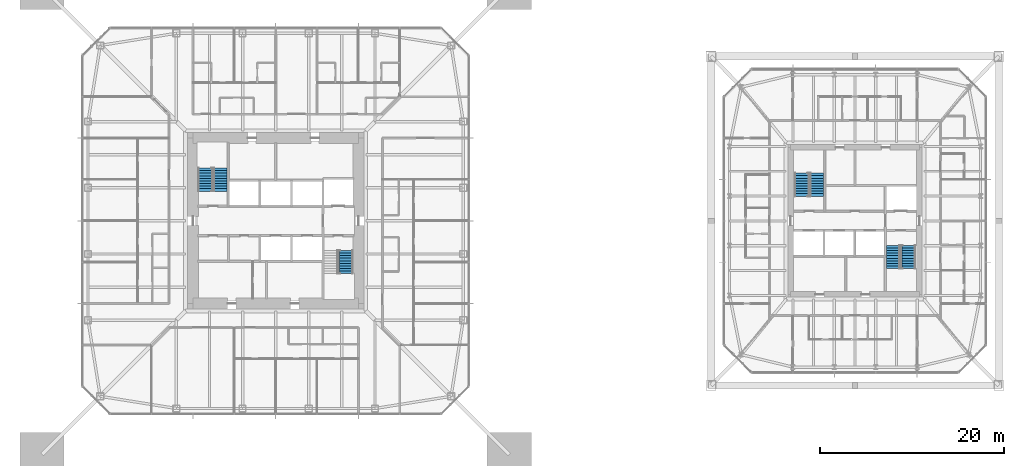
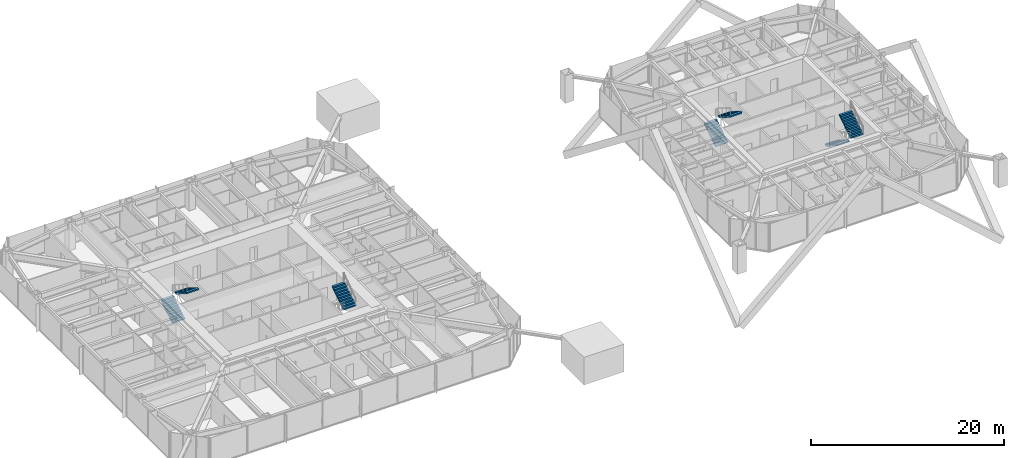
# One storey, part 20 of 25: 7 stair flights, 4 elements without a shape of their own.
"""IFC4 building model written with IfcOpenShell, lengths in metres."""

from ifc_helpers import new_model, si_unit, direction, frame, origin, place, context, subcontext, project, spatial, polyline, outline, extrude, material, constituent, constituent_set, type_object, element, aggregate, save


model = new_model("IFC4")

# Units and contexts
model_context = context("Model", 3, precision=1e-05, world=origin(), true_north=direction((0.0, 1.0)))
body_context = subcontext(model_context, "Body", "Model", "MODEL_VIEW")
ifc_project = project(units=[si_unit("LENGTHUNIT", "METRE"), si_unit("AREAUNIT", "SQUARE_METRE"), si_unit("VOLUMEUNIT", "CUBIC_METRE"), si_unit("PLANEANGLEUNIT", "RADIAN"), si_unit("MASSUNIT", "GRAM", prefix="KILO")], contexts=[model_context])

# Site, building, storey
site_placement = place(None, origin())
site = spatial("IfcSite", under=ifc_project, at=site_placement, CompositionType="ELEMENT")
building_placement = place(site_placement, origin())
building = spatial("IfcBuilding", under=site, at=building_placement, Name="Iwan Alto Co-Living Towers", CompositionType="ELEMENT")
storey_placement = place(building_placement, frame((0.0, 0.0, 108.5)))
storey = spatial("IfcBuildingStorey", under=building, at=storey_placement, Name="L29", CompositionType="ELEMENT", Elevation=108.5)

# Stair, stair flights
ifc_material_1 = material(Name="Steel ASTM A36", Category="steel")
ifc_constituent_1 = constituent(ifc_material_1, Name="Stringers", Category="LoadBearing")
ifc_material_2 = material(Name="Concrete f'c 30 MPa", Category="concrete")
ifc_constituent_2 = constituent(ifc_material_2, Name="Tread fill", Category="Finish")
ifc_constituent_set_1 = constituent_set(constituents=[ifc_constituent_1, ifc_constituent_2], Name="STAIR 3500 TWO-FLIGHT T1 CORE")
stair_type_1 = type_object("IfcStairType", Name="STAIR 3500 TWO-FLIGHT T1 CORE", PredefinedType="HALF_TURN_STAIR", material=ifc_constituent_set_1)
stair_1_placement = place(storey_placement, origin())
stair_1 = element("IfcStair", 1, at=stair_1_placement, inside=storey, type_object=stair_type_1, Name="Stair T1-S1 L29 to L30", PredefinedType="HALF_TURN_STAIR")
ifc_constituent_3 = constituent(ifc_material_1, Name="Stringers", Category="LoadBearing")
ifc_constituent_4 = constituent(ifc_material_2, Name="Tread fill", Category="Finish")
ifc_constituent_set_2 = constituent_set(constituents=[ifc_constituent_3, ifc_constituent_4], Name="STAIR FLIGHT 10 RISERS 280 GOING")
stair_flight_type = type_object("IfcStairFlightType", Name="STAIR FLIGHT 10 RISERS 280 GOING", PredefinedType="STRAIGHT", material=ifc_constituent_set_2)
stair_flight_1_placement = place(storey_placement, frame((-7.68994140625, 3.219970703125, 0.0), z_axis=(0.0, 0.0, 1.0), x_axis=(0.0, 1.0, 0.0)))
stair_flight_1 = element("IfcStairFlight", 2, at=stair_flight_1_placement, type_object=stair_flight_type, Name="T1-S1 flight 1", NumberOfRisers=10, NumberOfTreads=9, PredefinedType="STRAIGHT", RiserHeight=0.175, TreadLength=0.28, context=body_context, shape_type="SweptSolid", body=[
    extrude(outline(polyline([(0.0, 0.0), (0.0, 0.175048828125), (0.280029296875, 0.175048828125), (0.280029296875, 0.35009765625), (0.56005859375, 0.35009765625), (0.56005859375, 0.52490234375), (0.840087890625, 0.52490234375), (0.840087890625, 0.699951171875), (1.1201171875, 0.699951171875), (1.1201171875, 0.875), (1.39990234375, 0.875), (1.39990234375, 1.050048828125), (1.679931640625, 1.050048828125), (1.679931640625, 1.22509765625), (1.9599609375, 1.22509765625), (1.9599609375, 1.39990234375), (2.239990234375, 1.39990234375), (2.239990234375, 1.574951171875), (2.52001953125, 1.574951171875), (2.52001953125, 1.75), (2.52001953125, 1.398193359375), (0.28271484375, 0.0), (0.0, 0.0)])), frame((0.0, 0.739990234375, 0.0), z_axis=(0.0, -1.0, 0.0), x_axis=(1.0, 0.0, 0.0)), (0.0, 0.0, 1.0), 1.47998046875),
])
stair_flight_2_placement = place(storey_placement, frame((-6.010009765625, 5.739990234375, 1.75), z_axis=(0.0, 0.0, 1.0), x_axis=(0.0, -1.0, 0.0)))
stair_flight_2 = element("IfcStairFlight", 3, at=stair_flight_2_placement, type_object=stair_flight_type, Name="T1-S1 flight 2", NumberOfRisers=10, NumberOfTreads=9, PredefinedType="STRAIGHT", RiserHeight=0.175, TreadLength=0.28, context=body_context, shape_type="SweptSolid", body=[
    extrude(outline(polyline([(0.0, 0.0), (0.0, 0.175048828125), (0.280029296875, 0.175048828125), (0.280029296875, 0.35009765625), (0.56005859375, 0.35009765625), (0.56005859375, 0.52490234375), (0.840087890625, 0.52490234375), (0.840087890625, 0.699951171875), (1.1201171875, 0.699951171875), (1.1201171875, 0.875), (1.39990234375, 0.875), (1.39990234375, 1.050048828125), (1.679931640625, 1.050048828125), (1.679931640625, 1.22509765625), (1.9599609375, 1.22509765625), (1.9599609375, 1.39990234375), (2.239990234375, 1.39990234375), (2.239990234375, 1.574951171875), (2.52001953125, 1.574951171875), (2.52001953125, 1.75), (2.52001953125, 1.398193359375), (0.28271484375, 0.0), (0.0, 0.0)])), frame((0.0, 0.739990234375, 0.0), z_axis=(0.0, -1.0, 0.0), x_axis=(1.0, 0.0, 0.0)), (0.0, 0.0, 1.0), 1.47998046875),
])
aggregate(stair_1, [stair_flight_1, stair_flight_2])

# Stair, stair flight
stair_2_placement = place(storey_placement, origin())
stair_2 = element("IfcStair", 4, at=stair_2_placement, inside=storey, type_object=stair_type_1, Name="Stair T1-S2 L29 to L30", PredefinedType="HALF_TURN_STAIR")
stair_flight_3_placement = place(storey_placement, frame((7.68994140625, -5.739990234375, 1.75), z_axis=(0.0, 0.0, 1.0), x_axis=(0.0, 1.0, 0.0)))
stair_flight_3 = element("IfcStairFlight", 5, at=stair_flight_3_placement, type_object=stair_flight_type, Name="T1-S2 flight 2", NumberOfRisers=10, NumberOfTreads=9, PredefinedType="STRAIGHT", RiserHeight=0.175, TreadLength=0.28, context=body_context, shape_type="SweptSolid", body=[
    extrude(outline(polyline([(0.0, 0.0), (0.0, 0.175048828125), (0.280029296875, 0.175048828125), (0.280029296875, 0.35009765625), (0.56005859375, 0.35009765625), (0.56005859375, 0.52490234375), (0.840087890625, 0.52490234375), (0.840087890625, 0.699951171875), (1.1201171875, 0.699951171875), (1.1201171875, 0.875), (1.39990234375, 0.875), (1.39990234375, 1.050048828125), (1.679931640625, 1.050048828125), (1.679931640625, 1.22509765625), (1.9599609375, 1.22509765625), (1.9599609375, 1.39990234375), (2.239990234375, 1.39990234375), (2.239990234375, 1.574951171875), (2.52001953125, 1.574951171875), (2.52001953125, 1.75), (2.52001953125, 1.398193359375), (0.28271484375, 0.0), (0.0, 0.0)])), frame((0.0, 0.739990234375, 0.0), z_axis=(0.0, -1.0, 0.0), x_axis=(1.0, 0.0, 0.0)), (0.0, 0.0, 1.0), 1.47998046875),
])
aggregate(stair_2, [stair_flight_3])

# Stair, stair flights
ifc_constituent_5 = constituent(ifc_material_1, Name="Stringers", Category="LoadBearing")
ifc_constituent_6 = constituent(ifc_material_2, Name="Tread fill", Category="Finish")
ifc_constituent_set_3 = constituent_set(constituents=[ifc_constituent_5, ifc_constituent_6], Name="STAIR 3500 TWO-FLIGHT T2 CORE")
stair_type_2 = type_object("IfcStairType", Name="STAIR 3500 TWO-FLIGHT T2 CORE", PredefinedType="HALF_TURN_STAIR", material=ifc_constituent_set_3)
stair_3_placement = place(storey_placement, origin())
stair_3 = element("IfcStair", 6, at=stair_3_placement, inside=storey, type_object=stair_type_2, Name="Stair T2-S1 L29 to L30", PredefinedType="HALF_TURN_STAIR")
stair_flight_4_placement = place(storey_placement, frame((57.159912109375, 2.669921875, 0.0), z_axis=(0.0, 0.0, 1.0), x_axis=(0.0, 1.0, 0.0)))
stair_flight_4 = element("IfcStairFlight", 7, at=stair_flight_4_placement, type_object=stair_flight_type, Name="T2-S1 flight 1", NumberOfRisers=10, NumberOfTreads=9, PredefinedType="STRAIGHT", RiserHeight=0.175, TreadLength=0.28, context=body_context, shape_type="SweptSolid", body=[
    extrude(outline(polyline([(0.0, 0.0), (0.0, 0.175048828125), (0.280029296875, 0.175048828125), (0.280029296875, 0.35009765625), (0.56005859375, 0.35009765625), (0.56005859375, 0.52490234375), (0.840087890625, 0.52490234375), (0.840087890625, 0.699951171875), (1.1201171875, 0.699951171875), (1.1201171875, 0.875), (1.39990234375, 0.875), (1.39990234375, 1.050048828125), (1.679931640625, 1.050048828125), (1.679931640625, 1.22509765625), (1.9599609375, 1.22509765625), (1.9599609375, 1.39990234375), (2.239990234375, 1.39990234375), (2.239990234375, 1.574951171875), (2.52001953125, 1.574951171875), (2.52001953125, 1.75), (2.52001953125, 1.398193359375), (0.28271484375, 0.0), (0.0, 0.0)])), frame((0.0, 0.739990234375, 0.0), z_axis=(0.0, -1.0, 0.0), x_axis=(1.0, 0.0, 0.0)), (0.0, 0.0, 1.0), 1.47998046875),
])
stair_flight_5_placement = place(storey_placement, frame((58.840087890625, 5.18994140625, 1.75), z_axis=(0.0, 0.0, 1.0), x_axis=(0.0, -1.0, 0.0)))
stair_flight_5 = element("IfcStairFlight", 8, at=stair_flight_5_placement, type_object=stair_flight_type, Name="T2-S1 flight 2", NumberOfRisers=10, NumberOfTreads=9, PredefinedType="STRAIGHT", RiserHeight=0.175, TreadLength=0.28, context=body_context, shape_type="SweptSolid", body=[
    extrude(outline(polyline([(0.0, 0.0), (0.0, 0.175048828125), (0.280029296875, 0.175048828125), (0.280029296875, 0.35009765625), (0.56005859375, 0.35009765625), (0.56005859375, 0.52490234375), (0.840087890625, 0.52490234375), (0.840087890625, 0.699951171875), (1.1201171875, 0.699951171875), (1.1201171875, 0.875), (1.39990234375, 0.875), (1.39990234375, 1.050048828125), (1.679931640625, 1.050048828125), (1.679931640625, 1.22509765625), (1.9599609375, 1.22509765625), (1.9599609375, 1.39990234375), (2.239990234375, 1.39990234375), (2.239990234375, 1.574951171875), (2.52001953125, 1.574951171875), (2.52001953125, 1.75), (2.52001953125, 1.398193359375), (0.28271484375, 0.0), (0.0, 0.0)])), frame((0.0, 0.739990234375, 0.0), z_axis=(0.0, -1.0, 0.0), x_axis=(1.0, 0.0, 0.0)), (0.0, 0.0, 1.0), 1.47998046875),
])
aggregate(stair_3, [stair_flight_4, stair_flight_5])

stair_4_placement = place(storey_placement, origin())
stair_4 = element("IfcStair", 9, at=stair_4_placement, inside=storey, type_object=stair_type_2, Name="Stair T2-S2 L29 to L30", PredefinedType="HALF_TURN_STAIR")
stair_flight_6_placement = place(storey_placement, frame((67.159912109375, -2.669921875, 0.0), z_axis=(0.0, 0.0, 1.0), x_axis=(0.0, -1.0, 0.0)))
stair_flight_6 = element("IfcStairFlight", 10, at=stair_flight_6_placement, type_object=stair_flight_type, Name="T2-S2 flight 1", NumberOfRisers=10, NumberOfTreads=9, PredefinedType="STRAIGHT", RiserHeight=0.175, TreadLength=0.28, context=body_context, shape_type="SweptSolid", body=[
    extrude(outline(polyline([(0.0, 0.0), (0.0, 0.175048828125), (0.280029296875, 0.175048828125), (0.280029296875, 0.35009765625), (0.56005859375, 0.35009765625), (0.56005859375, 0.52490234375), (0.840087890625, 0.52490234375), (0.840087890625, 0.699951171875), (1.1201171875, 0.699951171875), (1.1201171875, 0.875), (1.39990234375, 0.875), (1.39990234375, 1.050048828125), (1.679931640625, 1.050048828125), (1.679931640625, 1.22509765625), (1.9599609375, 1.22509765625), (1.9599609375, 1.39990234375), (2.239990234375, 1.39990234375), (2.239990234375, 1.574951171875), (2.52001953125, 1.574951171875), (2.52001953125, 1.75), (2.52001953125, 1.398193359375), (0.28271484375, 0.0), (0.0, 0.0)])), frame((0.0, 0.739990234375, 0.0), z_axis=(0.0, -1.0, 0.0), x_axis=(1.0, 0.0, 0.0)), (0.0, 0.0, 1.0), 1.47998046875),
])
stair_flight_7_placement = place(storey_placement, frame((68.840087890625, -5.18994140625, 1.75), z_axis=(0.0, 0.0, 1.0), x_axis=(0.0, 1.0, 0.0)))
stair_flight_7 = element("IfcStairFlight", 11, at=stair_flight_7_placement, type_object=stair_flight_type, Name="T2-S2 flight 2", NumberOfRisers=10, NumberOfTreads=9, PredefinedType="STRAIGHT", RiserHeight=0.175, TreadLength=0.28, context=body_context, shape_type="SweptSolid", body=[
    extrude(outline(polyline([(0.0, 0.0), (0.0, 0.175048828125), (0.280029296875, 0.175048828125), (0.280029296875, 0.35009765625), (0.56005859375, 0.35009765625), (0.56005859375, 0.52490234375), (0.840087890625, 0.52490234375), (0.840087890625, 0.699951171875), (1.1201171875, 0.699951171875), (1.1201171875, 0.875), (1.39990234375, 0.875), (1.39990234375, 1.050048828125), (1.679931640625, 1.050048828125), (1.679931640625, 1.22509765625), (1.9599609375, 1.22509765625), (1.9599609375, 1.39990234375), (2.239990234375, 1.39990234375), (2.239990234375, 1.574951171875), (2.52001953125, 1.574951171875), (2.52001953125, 1.75), (2.52001953125, 1.398193359375), (0.28271484375, 0.0), (0.0, 0.0)])), frame((0.0, 0.739990234375, 0.0), z_axis=(0.0, -1.0, 0.0), x_axis=(1.0, 0.0, 0.0)), (0.0, 0.0, 1.0), 1.47998046875),
])
aggregate(stair_4, [stair_flight_6, stair_flight_7])

save(model, "model.ifc")
